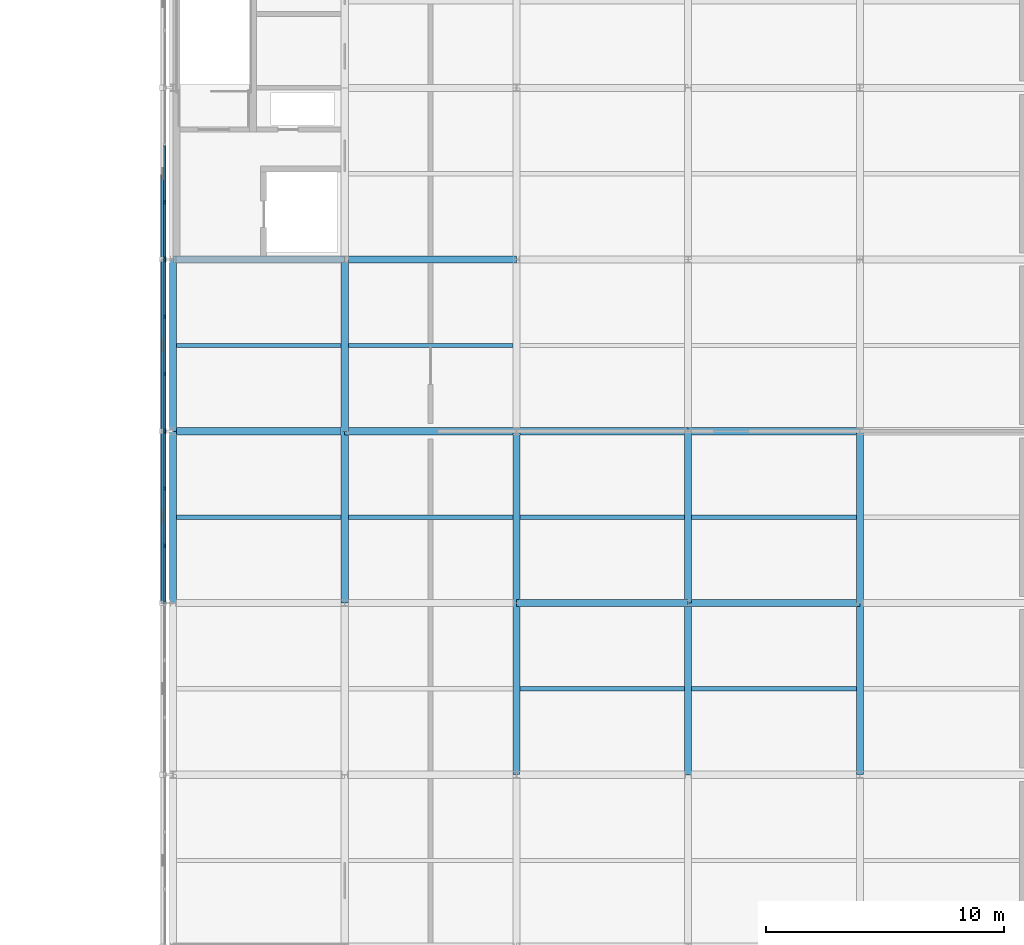
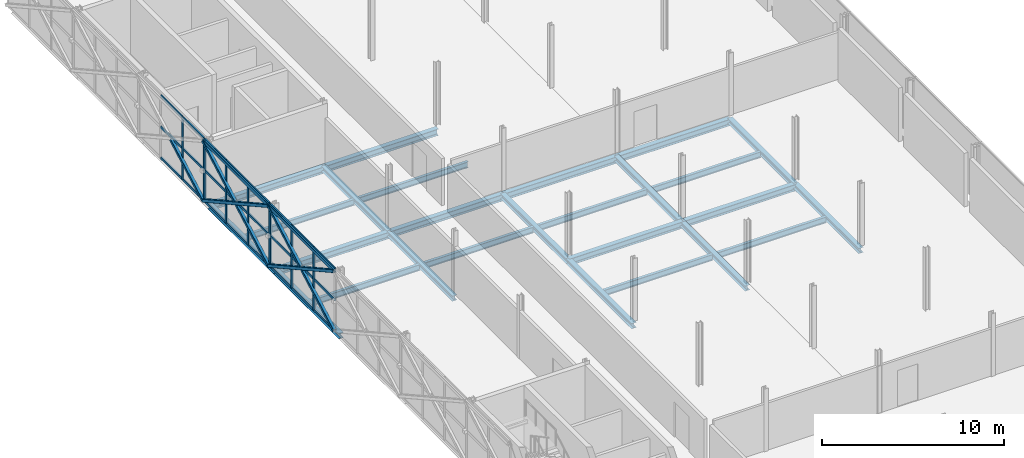
# One storey, part 74 of 146: 42 members, 26 beams, 3 elements without a shape of their own.
"""IFC4 building model written with IfcOpenShell, lengths in metres."""

from ifc_helpers import new_model, si_unit, direction, frame, origin, origin_2d, place, context, subcontext, project, spatial, rectangle, hollow_rectangle, i_section, extrude, material, material_profile, profile_set, type_object, element, aggregate, save


model = new_model("IFC4")

# Units and contexts
model_context = context("Model", 3, precision=1e-05, world=origin(), true_north=direction((0.0, 1.0)))
body_context = subcontext(model_context, "Body", "Model", "MODEL_VIEW")
ifc_project = project(units=[si_unit("LENGTHUNIT", "METRE"), si_unit("AREAUNIT", "SQUARE_METRE"), si_unit("VOLUMEUNIT", "CUBIC_METRE"), si_unit("PLANEANGLEUNIT", "RADIAN"), si_unit("MASSUNIT", "GRAM", prefix="KILO")], contexts=[model_context])

# Site, building, storey
site_placement = place(None, origin())
site = spatial("IfcSite", under=ifc_project, at=site_placement, CompositionType="ELEMENT")
building_placement = place(site_placement, origin())
building = spatial("IfcBuilding", under=site, at=building_placement, Name="Zlatovets Crest Museum", CompositionType="ELEMENT")
storey_placement = place(building_placement, frame((0.0, 0.0, 4.5)))
storey = spatial("IfcBuildingStorey", under=building, at=storey_placement, Name="L01", CompositionType="ELEMENT", Elevation=4.5)

# Beams
ifc_material_1 = material(Name="Structural steel S355J2", Category="steel")
ifc_material_profile_1 = material_profile(ifc_material_1, i_section(OverallWidth=0.300048828125, OverallDepth=0.35009765625, WebThickness=0.010009765625, FlangeThickness=0.017578125, FilletRadius=0.027099609375, at=origin_2d()), Name="HEA 360")
ifc_profile_set_1 = profile_set([ifc_material_profile_1], Name="Structural steel S355J2")
beam_type_1 = type_object("IfcBeamType", Name="Beam_B-03", PredefinedType="BEAM", material=ifc_profile_set_1)
for number, where, z_axis, x_axis, name in (
    (1, (129.60009765625, 64.800048828125, -0.39501953125), (0.0, 1.0, 0.0), (-1.0, 0.0, 0.0), "V5 L01 Grid Beam B-03"),
    (2, (129.60009765625, 72.0, -0.39501953125), (0.0, 1.0, 0.0), (-1.0, 0.0, 0.0), "V5 L01 Grid Beam B-03"),
    (3, (136.800048828125, 64.800048828125, -0.39501953125), (0.0, 1.0, 0.0), (-1.0, 0.0, 0.0), "V5 L01 Grid Beam B-03"),
    (4, (136.800048828125, 72.0, -0.39501953125), (0.0, 1.0, 0.0), (-1.0, 0.0, 0.0), "V5 L01 Grid Beam B-03"),
    (5, (144.0, 57.60009765625, -0.39501953125), (0.0, 1.0, 0.0), (-1.0, 0.0, 0.0), "V5 L01 Grid Beam B-03"),
    (6, (144.0, 64.800048828125, -0.39501953125), (0.0, 1.0, 0.0), (-1.0, 0.0, 0.0), "V5 L01 Grid Beam B-03"),
    (7, (151.199951171875, 57.60009765625, -0.39501953125), (0.0, 1.0, 0.0), (-1.0, 0.0, 0.0), "V5 L01 Grid Beam B-03"),
    (8, (151.199951171875, 64.800048828125, -0.39501953125), (0.0, 1.0, 0.0), (-1.0, 0.0, 0.0), "V5 L01 Grid Beam B-03"),
    (9, (158.39990234375, 57.60009765625, -0.39501953125), (0.0, 1.0, 0.0), (-1.0, 0.0, 0.0), "V5 L01 Grid Beam B-03"),
    (10, (158.39990234375, 64.800048828125, -0.39501953125), (0.0, 1.0, 0.0), (-1.0, 0.0, 0.0), "V5 L01 Grid Beam B-03"),
):
    element("IfcBeam", number, at=place(storey_placement, frame(where, z_axis=z_axis, x_axis=x_axis)), inside=storey, type_object=beam_type_1, Name=name, PredefinedType="BEAM", context=body_context, shape_type="SweptSolid", body=[
        extrude(i_section(OverallWidth=0.300048828125, OverallDepth=0.35009765625, WebThickness=0.010009765625, FlangeThickness=0.017578125, FilletRadius=0.027099609375, at=origin_2d()), origin(), (0.0, 0.0, 1.0), 7.199951171875),
    ])
ifc_material_profile_2 = material_profile(ifc_material_1, i_section(OverallWidth=0.300048828125, OverallDepth=0.43994140625, WebThickness=0.011474609375, FlangeThickness=0.02099609375, FilletRadius=0.027099609375, at=origin_2d()), Name="HEA 450")
ifc_profile_set_2 = profile_set([ifc_material_profile_2], Name="Structural steel S355J2")
beam_type_2 = type_object("IfcBeamType", Name="Beam_B-10", PredefinedType="BEAM", material=ifc_profile_set_2)
for number, where, z_axis, x_axis, name in (
    (11, (144.0, 64.800048828125, -0.43994140625), (1.0, 0.0, 0.0), (0.0, 1.0, 0.0), "V5 L01 Primary Girder B-10"),
    (12, (151.199951171875, 64.800048828125, -0.43994140625), (1.0, 0.0, 0.0), (0.0, 1.0, 0.0), "V5 L01 Primary Girder B-10"),
    (13, (129.60009765625, 72.0, -0.43994140625), (1.0, 0.0, 0.0), (0.0, 1.0, 0.0), "V5 L01 Primary Girder B-10"),
    (14, (136.800048828125, 72.0, -0.43994140625), (1.0, 0.0, 0.0), (0.0, 1.0, 0.0), "V5 L01 Primary Girder B-10"),
    (15, (144.0, 72.0, -0.43994140625), (1.0, 0.0, 0.0), (0.0, 1.0, 0.0), "V5 L01 Primary Girder B-10"),
    (16, (151.199951171875, 72.0, -0.43994140625), (1.0, 0.0, 0.0), (0.0, 1.0, 0.0), "V5 L01 Primary Girder B-10"),
    (17, (129.60009765625, 79.199951171875, -0.43994140625), (1.0, 0.0, 0.0), (0.0, 1.0, 0.0), "V5 L01 Primary Girder B-10"),
    (18, (136.800048828125, 79.199951171875, -0.43994140625), (1.0, 0.0, 0.0), (0.0, 1.0, 0.0), "V5 L01 Primary Girder B-10"),
):
    element("IfcBeam", number, at=place(storey_placement, frame(where, z_axis=z_axis, x_axis=x_axis)), inside=storey, type_object=beam_type_2, Name=name, PredefinedType="BEAM", context=body_context, shape_type="SweptSolid", body=[
        extrude(i_section(OverallWidth=0.300048828125, OverallDepth=0.43994140625, WebThickness=0.011474609375, FlangeThickness=0.02099609375, FilletRadius=0.027099609375, at=origin_2d()), origin(), (0.0, 0.0, 1.0), 7.199951171875),
    ])
ifc_material_profile_3 = material_profile(ifc_material_1, i_section(OverallWidth=0.179931640625, OverallDepth=0.39990234375, WebThickness=0.008544921875, FlangeThickness=0.013427734375, FilletRadius=0.02099609375, at=origin_2d()), Name="IPE 400")
ifc_profile_set_3 = profile_set([ifc_material_profile_3], Name="Structural steel S355J2")
beam_type_3 = type_object("IfcBeamType", Name="Beam_J-04", PredefinedType="JOIST", material=ifc_profile_set_3)
for number, where, z_axis, x_axis, name in (
    (19, (129.75, 68.39990234375, -0.419921875), (1.0, 0.0, 0.0), (0.0, 1.0, 0.0), "V5 L01 Composite Joist J-04"),
    (20, (129.75, 75.60009765625, -0.419921875), (1.0, 0.0, 0.0), (0.0, 1.0, 0.0), "V5 L01 Composite Joist J-04"),
):
    element("IfcBeam", number, at=place(storey_placement, frame(where, z_axis=z_axis, x_axis=x_axis)), inside=storey, type_object=beam_type_3, Name=name, PredefinedType="JOIST", context=body_context, shape_type="SweptSolid", body=[
        extrude(i_section(OverallWidth=0.179931640625, OverallDepth=0.39990234375, WebThickness=0.008544921875, FlangeThickness=0.013427734375, FilletRadius=0.02099609375, at=origin_2d()), origin(), (0.0, 0.0, 1.0), 6.89990234375),
    ])
for number, where, z_axis, x_axis, name in (
    (21, (136.949951171875, 68.39990234375, -0.419921875), (1.0, 0.0, 0.0), (0.0, 1.0, 0.0), "V5 L01 Composite Joist J-04"),
    (22, (136.949951171875, 75.60009765625, -0.419921875), (1.0, 0.0, 0.0), (0.0, 1.0, 0.0), "V5 L01 Composite Joist J-04"),
    (23, (144.14990234375, 61.199951171875, -0.419921875), (1.0, 0.0, 0.0), (0.0, 1.0, 0.0), "V5 L01 Composite Joist J-04"),
    (24, (144.14990234375, 68.39990234375, -0.419921875), (1.0, 0.0, 0.0), (0.0, 1.0, 0.0), "V5 L01 Composite Joist J-04"),
):
    element("IfcBeam", number, at=place(storey_placement, frame(where, z_axis=z_axis, x_axis=x_axis)), inside=storey, type_object=beam_type_3, Name=name, PredefinedType="JOIST", context=body_context, shape_type="SweptSolid", body=[
        extrude(i_section(OverallWidth=0.179931640625, OverallDepth=0.39990234375, WebThickness=0.008544921875, FlangeThickness=0.013427734375, FilletRadius=0.02099609375, at=origin_2d()), origin(), (0.0, 0.0, 1.0), 6.900146484375),
    ])
for number, where, z_axis, x_axis, name in (
    (25, (151.35009765625, 61.199951171875, -0.419921875), (1.0, 0.0, 0.0), (0.0, 1.0, 0.0), "V5 L01 Composite Joist J-04"),
    (26, (151.35009765625, 68.39990234375, -0.419921875), (1.0, 0.0, 0.0), (0.0, 1.0, 0.0), "V5 L01 Composite Joist J-04"),
):
    element("IfcBeam", number, at=place(storey_placement, frame(where, z_axis=z_axis, x_axis=x_axis)), inside=storey, type_object=beam_type_3, Name=name, PredefinedType="JOIST", context=body_context, shape_type="SweptSolid", body=[
        extrude(i_section(OverallWidth=0.179931640625, OverallDepth=0.39990234375, WebThickness=0.008544921875, FlangeThickness=0.013427734375, FilletRadius=0.02099609375, at=origin_2d()), origin(), (0.0, 0.0, 1.0), 6.89990234375),
    ])

# Curtain wall, members
ifc_material_2 = material(Name="Bronze-anodised aluminium and low-E triple glass", Category="aluminium")
curtain_wall_type_1 = type_object("IfcCurtainWallType", Name="CW_CW-V5-L01-M0", PredefinedType="NOTDEFINED", material=ifc_material_2)
curtain_wall_1_placement = place(storey_placement, origin())
curtain_wall_1 = element("IfcCurtainWall", 27, at=curtain_wall_1_placement, inside=storey, type_object=curtain_wall_type_1, Name="V5 L01 Expressed Core Glazed Facade", PredefinedType="NOTDEFINED")
ifc_material_3 = material(Name="Bronze-anodised aluminium EN AW-6060", Category="aluminium")
ifc_material_profile_4 = material_profile(ifc_material_3, rectangle(XDim=0.080078125, YDim=0.159912109375, at=origin_2d()), Name="ALU 80x160")
ifc_profile_set_4 = profile_set([ifc_material_profile_4], Name="Bronze-anodised aluminium EN AW-6060")
member_type_1 = type_object("IfcMemberType", Name="CWMull_M1", PredefinedType="MULLION", material=ifc_profile_set_4)
member_1_placement = place(storey_placement, frame((129.260009765625, 81.60009765625, 0.0), z_axis=(0.0, 0.0, 1.0), x_axis=(1.0, 0.0, 0.0)))
member_1 = element("IfcMember", 28, at=member_1_placement, type_object=member_type_1, Name="CW-V5-L01-M0 mullion 3", PredefinedType="MULLION", context=body_context, shape_type="SweptSolid", body=[
    extrude(rectangle(XDim=0.080078125, YDim=0.159912109375, at=origin_2d()), origin(), (0.0, 0.0, 1.0), 4.199951171875),
])
member_2_placement = place(storey_placement, frame((129.260009765625, 79.22998046875, 0.0), z_axis=(0.0, 0.0, 1.0), x_axis=(1.0, 0.0, 0.0)))
member_2 = element("IfcMember", 29, at=member_2_placement, type_object=member_type_1, Name="CW-V5-L01-M0 mullion 4", PredefinedType="MULLION", context=body_context, shape_type="SweptSolid", body=[
    extrude(rectangle(XDim=0.080078125, YDim=0.159912109375, at=origin_2d()), origin(), (0.0, 0.0, 1.0), 4.199951171875),
])

curtain_wall_type_2 = type_object("IfcCurtainWallType", Name="CW_CW-V5-L01-M1", PredefinedType="NOTDEFINED", material=ifc_material_2)
curtain_wall_2_placement = place(storey_placement, origin())
curtain_wall_2 = element("IfcCurtainWall", 30, at=curtain_wall_2_placement, inside=storey, type_object=curtain_wall_type_2, Name="V5 L01 Secession Foyer Clear Curtain Wall", PredefinedType="NOTDEFINED")
member_3_placement = place(storey_placement, frame((129.260009765625, 79.169921875, 0.0), z_axis=(0.0, 0.0, 1.0), x_axis=(1.0, 0.0, 0.0)))
member_3 = element("IfcMember", 31, at=member_3_placement, type_object=member_type_1, Name="CW-V5-L01-M1 mullion 1", PredefinedType="MULLION", context=body_context, shape_type="SweptSolid", body=[
    extrude(rectangle(XDim=0.080078125, YDim=0.159912109375, at=origin_2d()), origin(), (0.0, 0.0, 1.0), 4.199951171875),
])
member_4_placement = place(storey_placement, frame((129.260009765625, 76.800048828125, 0.0), z_axis=(0.0, 0.0, 1.0), x_axis=(1.0, 0.0, 0.0)))
member_4 = element("IfcMember", 32, at=member_4_placement, type_object=member_type_1, Name="CW-V5-L01-M1 mullion 2", PredefinedType="MULLION", context=body_context, shape_type="SweptSolid", body=[
    extrude(rectangle(XDim=0.080078125, YDim=0.159912109375, at=origin_2d()), origin(), (0.0, 0.0, 1.0), 4.199951171875),
])
member_5_placement = place(storey_placement, frame((129.260009765625, 74.39990234375, 0.0), z_axis=(0.0, 0.0, 1.0), x_axis=(1.0, 0.0, 0.0)))
member_5 = element("IfcMember", 33, at=member_5_placement, type_object=member_type_1, Name="CW-V5-L01-M1 mullion 3", PredefinedType="MULLION", context=body_context, shape_type="SweptSolid", body=[
    extrude(rectangle(XDim=0.080078125, YDim=0.159912109375, at=origin_2d()), origin(), (0.0, 0.0, 1.0), 4.199951171875),
])
member_6_placement = place(storey_placement, frame((129.260009765625, 72.030029296875, 0.0), z_axis=(0.0, 0.0, 1.0), x_axis=(1.0, 0.0, 0.0)))
member_6 = element("IfcMember", 34, at=member_6_placement, type_object=member_type_1, Name="CW-V5-L01-M1 mullion 4", PredefinedType="MULLION", context=body_context, shape_type="SweptSolid", body=[
    extrude(rectangle(XDim=0.080078125, YDim=0.159912109375, at=origin_2d()), origin(), (0.0, 0.0, 1.0), 4.199951171875),
])

curtain_wall_type_3 = type_object("IfcCurtainWallType", Name="CW_CW-V5-L01-M2", PredefinedType="NOTDEFINED", material=ifc_material_2)
curtain_wall_3_placement = place(storey_placement, origin())
curtain_wall_3 = element("IfcCurtainWall", 35, at=curtain_wall_3_placement, inside=storey, type_object=curtain_wall_type_3, Name="V5 L01 Secession Foyer Clear Curtain Wall", PredefinedType="NOTDEFINED")
member_7_placement = place(storey_placement, frame((129.260009765625, 71.969970703125, 0.0), z_axis=(0.0, 0.0, 1.0), x_axis=(1.0, 0.0, 0.0)))
member_7 = element("IfcMember", 36, at=member_7_placement, type_object=member_type_1, Name="CW-V5-L01-M2 mullion 1", PredefinedType="MULLION", context=body_context, shape_type="SweptSolid", body=[
    extrude(rectangle(XDim=0.080078125, YDim=0.159912109375, at=origin_2d()), origin(), (0.0, 0.0, 1.0), 4.199951171875),
])
member_8_placement = place(storey_placement, frame((129.260009765625, 69.60009765625, 0.0), z_axis=(0.0, 0.0, 1.0), x_axis=(1.0, 0.0, 0.0)))
member_8 = element("IfcMember", 37, at=member_8_placement, type_object=member_type_1, Name="CW-V5-L01-M2 mullion 2", PredefinedType="MULLION", context=body_context, shape_type="SweptSolid", body=[
    extrude(rectangle(XDim=0.080078125, YDim=0.159912109375, at=origin_2d()), origin(), (0.0, 0.0, 1.0), 4.199951171875),
])
member_9_placement = place(storey_placement, frame((129.260009765625, 67.199951171875, 0.0), z_axis=(0.0, 0.0, 1.0), x_axis=(1.0, 0.0, 0.0)))
member_9 = element("IfcMember", 38, at=member_9_placement, type_object=member_type_1, Name="CW-V5-L01-M2 mullion 3", PredefinedType="MULLION", context=body_context, shape_type="SweptSolid", body=[
    extrude(rectangle(XDim=0.080078125, YDim=0.159912109375, at=origin_2d()), origin(), (0.0, 0.0, 1.0), 4.199951171875),
])

# Member
ifc_material_profile_5 = material_profile(ifc_material_3, rectangle(XDim=0.080078125, YDim=0.159912109375, at=origin_2d()), Name="ALU 80x160")
ifc_profile_set_5 = profile_set([ifc_material_profile_5], Name="Bronze-anodised aluminium EN AW-6060")
member_type_2 = type_object("IfcMemberType", Name="CWTrans_T1", PredefinedType="USERDEFINED", material=ifc_profile_set_5)
member_10_placement = place(storey_placement, frame((129.260009765625, 83.969970703125, 0.030029296875), z_axis=(0.0, -1.0, 0.0), x_axis=(1.0, 0.0, 0.0)))
member_10 = element("IfcMember", 39, at=member_10_placement, type_object=member_type_2, Name="CW-V5-L01-M0 transom 2.1", ObjectType="TRANSOM", PredefinedType="USERDEFINED", context=body_context, shape_type="SweptSolid", body=[
    extrude(rectangle(XDim=0.080078125, YDim=0.159912109375, at=origin_2d()), origin(), (0.0, 0.0, 1.0), 2.340087890625),
])

member_11_placement = place(storey_placement, frame((129.260009765625, 83.969970703125, 2.10009765625), z_axis=(0.0, -1.0, 0.0), x_axis=(1.0, 0.0, 0.0)))
member_11 = element("IfcMember", 40, at=member_11_placement, type_object=member_type_2, Name="CW-V5-L01-M0 transom 2.2", ObjectType="TRANSOM", PredefinedType="USERDEFINED", context=body_context, shape_type="SweptSolid", body=[
    extrude(rectangle(XDim=0.080078125, YDim=0.159912109375, at=origin_2d()), origin(), (0.0, 0.0, 1.0), 2.340087890625),
])

member_12_placement = place(storey_placement, frame((129.260009765625, 83.969970703125, 4.169921875), z_axis=(0.0, -1.0, 0.0), x_axis=(1.0, 0.0, 0.0)))
member_12 = element("IfcMember", 41, at=member_12_placement, type_object=member_type_2, Name="CW-V5-L01-M0 transom 2.3", ObjectType="TRANSOM", PredefinedType="USERDEFINED", context=body_context, shape_type="SweptSolid", body=[
    extrude(rectangle(XDim=0.080078125, YDim=0.159912109375, at=origin_2d()), origin(), (0.0, 0.0, 1.0), 2.340087890625),
])

member_13_placement = place(storey_placement, frame((129.260009765625, 81.570068359375, 0.030029296875), z_axis=(0.0, -1.0, 0.0), x_axis=(1.0, 0.0, 0.0)))
member_13 = element("IfcMember", 42, at=member_13_placement, type_object=member_type_2, Name="CW-V5-L01-M0 transom 3.1", ObjectType="TRANSOM", PredefinedType="USERDEFINED", context=body_context, shape_type="SweptSolid", body=[
    extrude(rectangle(XDim=0.080078125, YDim=0.159912109375, at=origin_2d()), origin(), (0.0, 0.0, 1.0), 2.31005859375),
])

member_14_placement = place(storey_placement, frame((129.260009765625, 81.570068359375, 2.10009765625), z_axis=(0.0, -1.0, 0.0), x_axis=(1.0, 0.0, 0.0)))
member_14 = element("IfcMember", 43, at=member_14_placement, type_object=member_type_2, Name="CW-V5-L01-M0 transom 3.2", ObjectType="TRANSOM", PredefinedType="USERDEFINED", context=body_context, shape_type="SweptSolid", body=[
    extrude(rectangle(XDim=0.080078125, YDim=0.159912109375, at=origin_2d()), origin(), (0.0, 0.0, 1.0), 2.31005859375),
])

member_15_placement = place(storey_placement, frame((129.260009765625, 81.570068359375, 4.169921875), z_axis=(0.0, -1.0, 0.0), x_axis=(1.0, 0.0, 0.0)))
member_15 = element("IfcMember", 44, at=member_15_placement, type_object=member_type_2, Name="CW-V5-L01-M0 transom 3.3", ObjectType="TRANSOM", PredefinedType="USERDEFINED", context=body_context, shape_type="SweptSolid", body=[
    extrude(rectangle(XDim=0.080078125, YDim=0.159912109375, at=origin_2d()), origin(), (0.0, 0.0, 1.0), 2.31005859375),
])

aggregate(curtain_wall_1, [member_1, member_2, member_10, member_11, member_12, member_13, member_14, member_15])

member_16_placement = place(storey_placement, frame((129.260009765625, 79.139892578125, 0.030029296875), z_axis=(0.0, -1.0, 0.0), x_axis=(1.0, 0.0, 0.0)))
member_16 = element("IfcMember", 45, at=member_16_placement, type_object=member_type_2, Name="CW-V5-L01-M1 transom 1.1", ObjectType="TRANSOM", PredefinedType="USERDEFINED", context=body_context, shape_type="SweptSolid", body=[
    extrude(rectangle(XDim=0.080078125, YDim=0.159912109375, at=origin_2d()), origin(), (0.0, 0.0, 1.0), 2.309814453125),
])

member_17_placement = place(storey_placement, frame((129.260009765625, 79.139892578125, 2.10009765625), z_axis=(0.0, -1.0, 0.0), x_axis=(1.0, 0.0, 0.0)))
member_17 = element("IfcMember", 46, at=member_17_placement, type_object=member_type_2, Name="CW-V5-L01-M1 transom 1.2", ObjectType="TRANSOM", PredefinedType="USERDEFINED", context=body_context, shape_type="SweptSolid", body=[
    extrude(rectangle(XDim=0.080078125, YDim=0.159912109375, at=origin_2d()), origin(), (0.0, 0.0, 1.0), 2.309814453125),
])

member_18_placement = place(storey_placement, frame((129.260009765625, 79.139892578125, 4.169921875), z_axis=(0.0, -1.0, 0.0), x_axis=(1.0, 0.0, 0.0)))
member_18 = element("IfcMember", 47, at=member_18_placement, type_object=member_type_2, Name="CW-V5-L01-M1 transom 1.3", ObjectType="TRANSOM", PredefinedType="USERDEFINED", context=body_context, shape_type="SweptSolid", body=[
    extrude(rectangle(XDim=0.080078125, YDim=0.159912109375, at=origin_2d()), origin(), (0.0, 0.0, 1.0), 2.309814453125),
])

member_19_placement = place(storey_placement, frame((129.260009765625, 76.77001953125, 0.030029296875), z_axis=(0.0, -1.0, 0.0), x_axis=(1.0, 0.0, 0.0)))
member_19 = element("IfcMember", 48, at=member_19_placement, type_object=member_type_2, Name="CW-V5-L01-M1 transom 2.1", ObjectType="TRANSOM", PredefinedType="USERDEFINED", context=body_context, shape_type="SweptSolid", body=[
    extrude(rectangle(XDim=0.080078125, YDim=0.159912109375, at=origin_2d()), origin(), (0.0, 0.0, 1.0), 2.340087890625),
])

member_20_placement = place(storey_placement, frame((129.260009765625, 76.77001953125, 2.10009765625), z_axis=(0.0, -1.0, 0.0), x_axis=(1.0, 0.0, 0.0)))
member_20 = element("IfcMember", 49, at=member_20_placement, type_object=member_type_2, Name="CW-V5-L01-M1 transom 2.2", ObjectType="TRANSOM", PredefinedType="USERDEFINED", context=body_context, shape_type="SweptSolid", body=[
    extrude(rectangle(XDim=0.080078125, YDim=0.159912109375, at=origin_2d()), origin(), (0.0, 0.0, 1.0), 2.340087890625),
])

member_21_placement = place(storey_placement, frame((129.260009765625, 76.77001953125, 4.169921875), z_axis=(0.0, -1.0, 0.0), x_axis=(1.0, 0.0, 0.0)))
member_21 = element("IfcMember", 50, at=member_21_placement, type_object=member_type_2, Name="CW-V5-L01-M1 transom 2.3", ObjectType="TRANSOM", PredefinedType="USERDEFINED", context=body_context, shape_type="SweptSolid", body=[
    extrude(rectangle(XDim=0.080078125, YDim=0.159912109375, at=origin_2d()), origin(), (0.0, 0.0, 1.0), 2.340087890625),
])

member_22_placement = place(storey_placement, frame((129.260009765625, 74.3701171875, 0.030029296875), z_axis=(0.0, -1.0, 0.0), x_axis=(1.0, 0.0, 0.0)))
member_22 = element("IfcMember", 51, at=member_22_placement, type_object=member_type_2, Name="CW-V5-L01-M1 transom 3.1", ObjectType="TRANSOM", PredefinedType="USERDEFINED", context=body_context, shape_type="SweptSolid", body=[
    extrude(rectangle(XDim=0.080078125, YDim=0.159912109375, at=origin_2d()), origin(), (0.0, 0.0, 1.0), 2.31005859375),
])

member_23_placement = place(storey_placement, frame((129.260009765625, 74.3701171875, 2.10009765625), z_axis=(0.0, -1.0, 0.0), x_axis=(1.0, 0.0, 0.0)))
member_23 = element("IfcMember", 52, at=member_23_placement, type_object=member_type_2, Name="CW-V5-L01-M1 transom 3.2", ObjectType="TRANSOM", PredefinedType="USERDEFINED", context=body_context, shape_type="SweptSolid", body=[
    extrude(rectangle(XDim=0.080078125, YDim=0.159912109375, at=origin_2d()), origin(), (0.0, 0.0, 1.0), 2.31005859375),
])

member_24_placement = place(storey_placement, frame((129.260009765625, 74.3701171875, 4.169921875), z_axis=(0.0, -1.0, 0.0), x_axis=(1.0, 0.0, 0.0)))
member_24 = element("IfcMember", 53, at=member_24_placement, type_object=member_type_2, Name="CW-V5-L01-M1 transom 3.3", ObjectType="TRANSOM", PredefinedType="USERDEFINED", context=body_context, shape_type="SweptSolid", body=[
    extrude(rectangle(XDim=0.080078125, YDim=0.159912109375, at=origin_2d()), origin(), (0.0, 0.0, 1.0), 2.31005859375),
])

aggregate(curtain_wall_2, [member_3, member_4, member_5, member_6, member_16, member_17, member_18, member_19, member_20, member_21, member_22, member_23, member_24])

member_25_placement = place(storey_placement, frame((129.260009765625, 71.93994140625, 0.030029296875), z_axis=(0.0, -1.0, 0.0), x_axis=(1.0, 0.0, 0.0)))
member_25 = element("IfcMember", 54, at=member_25_placement, type_object=member_type_2, Name="CW-V5-L01-M2 transom 1.1", ObjectType="TRANSOM", PredefinedType="USERDEFINED", context=body_context, shape_type="SweptSolid", body=[
    extrude(rectangle(XDim=0.080078125, YDim=0.159912109375, at=origin_2d()), origin(), (0.0, 0.0, 1.0), 2.31005859375),
])

member_26_placement = place(storey_placement, frame((129.260009765625, 71.93994140625, 2.10009765625), z_axis=(0.0, -1.0, 0.0), x_axis=(1.0, 0.0, 0.0)))
member_26 = element("IfcMember", 55, at=member_26_placement, type_object=member_type_2, Name="CW-V5-L01-M2 transom 1.2", ObjectType="TRANSOM", PredefinedType="USERDEFINED", context=body_context, shape_type="SweptSolid", body=[
    extrude(rectangle(XDim=0.080078125, YDim=0.159912109375, at=origin_2d()), origin(), (0.0, 0.0, 1.0), 2.31005859375),
])

member_27_placement = place(storey_placement, frame((129.260009765625, 71.93994140625, 4.169921875), z_axis=(0.0, -1.0, 0.0), x_axis=(1.0, 0.0, 0.0)))
member_27 = element("IfcMember", 56, at=member_27_placement, type_object=member_type_2, Name="CW-V5-L01-M2 transom 1.3", ObjectType="TRANSOM", PredefinedType="USERDEFINED", context=body_context, shape_type="SweptSolid", body=[
    extrude(rectangle(XDim=0.080078125, YDim=0.159912109375, at=origin_2d()), origin(), (0.0, 0.0, 1.0), 2.31005859375),
])

member_28_placement = place(storey_placement, frame((129.260009765625, 69.570068359375, 0.030029296875), z_axis=(0.0, -1.0, 0.0), x_axis=(1.0, 0.0, 0.0)))
member_28 = element("IfcMember", 57, at=member_28_placement, type_object=member_type_2, Name="CW-V5-L01-M2 transom 2.1", ObjectType="TRANSOM", PredefinedType="USERDEFINED", context=body_context, shape_type="SweptSolid", body=[
    extrude(rectangle(XDim=0.080078125, YDim=0.159912109375, at=origin_2d()), origin(), (0.0, 0.0, 1.0), 2.340087890625),
])

member_29_placement = place(storey_placement, frame((129.260009765625, 69.570068359375, 2.10009765625), z_axis=(0.0, -1.0, 0.0), x_axis=(1.0, 0.0, 0.0)))
member_29 = element("IfcMember", 58, at=member_29_placement, type_object=member_type_2, Name="CW-V5-L01-M2 transom 2.2", ObjectType="TRANSOM", PredefinedType="USERDEFINED", context=body_context, shape_type="SweptSolid", body=[
    extrude(rectangle(XDim=0.080078125, YDim=0.159912109375, at=origin_2d()), origin(), (0.0, 0.0, 1.0), 2.340087890625),
])

member_30_placement = place(storey_placement, frame((129.260009765625, 69.570068359375, 4.169921875), z_axis=(0.0, -1.0, 0.0), x_axis=(1.0, 0.0, 0.0)))
member_30 = element("IfcMember", 59, at=member_30_placement, type_object=member_type_2, Name="CW-V5-L01-M2 transom 2.3", ObjectType="TRANSOM", PredefinedType="USERDEFINED", context=body_context, shape_type="SweptSolid", body=[
    extrude(rectangle(XDim=0.080078125, YDim=0.159912109375, at=origin_2d()), origin(), (0.0, 0.0, 1.0), 2.340087890625),
])

member_31_placement = place(storey_placement, frame((129.260009765625, 67.169921875, 0.030029296875), z_axis=(0.0, -1.0, 0.0), x_axis=(1.0, 0.0, 0.0)))
member_31 = element("IfcMember", 60, at=member_31_placement, type_object=member_type_2, Name="CW-V5-L01-M2 transom 3.1", ObjectType="TRANSOM", PredefinedType="USERDEFINED", context=body_context, shape_type="SweptSolid", body=[
    extrude(rectangle(XDim=0.080078125, YDim=0.159912109375, at=origin_2d()), origin(), (0.0, 0.0, 1.0), 2.309814453125),
])

member_32_placement = place(storey_placement, frame((129.260009765625, 67.169921875, 2.10009765625), z_axis=(0.0, -1.0, 0.0), x_axis=(1.0, 0.0, 0.0)))
member_32 = element("IfcMember", 61, at=member_32_placement, type_object=member_type_2, Name="CW-V5-L01-M2 transom 3.2", ObjectType="TRANSOM", PredefinedType="USERDEFINED", context=body_context, shape_type="SweptSolid", body=[
    extrude(rectangle(XDim=0.080078125, YDim=0.159912109375, at=origin_2d()), origin(), (0.0, 0.0, 1.0), 2.309814453125),
])

member_33_placement = place(storey_placement, frame((129.260009765625, 67.169921875, 4.169921875), z_axis=(0.0, -1.0, 0.0), x_axis=(1.0, 0.0, 0.0)))
member_33 = element("IfcMember", 62, at=member_33_placement, type_object=member_type_2, Name="CW-V5-L01-M2 transom 3.3", ObjectType="TRANSOM", PredefinedType="USERDEFINED", context=body_context, shape_type="SweptSolid", body=[
    extrude(rectangle(XDim=0.080078125, YDim=0.159912109375, at=origin_2d()), origin(), (0.0, 0.0, 1.0), 2.309814453125),
])

aggregate(curtain_wall_3, [member_7, member_8, member_9, member_25, member_26, member_27, member_28, member_29, member_30, member_31, member_32, member_33])

# Members
ifc_material_4 = material(Name="Weathering bronze-steel S355J2W", Category="steel")
ifc_material_profile_6 = material_profile(ifc_material_4, hollow_rectangle(XDim=0.199951171875, YDim=0.199951171875, WallThickness=0.012451171875, InnerFilletRadius=0.012451171875, OuterFilletRadius=0.02490234375, at=origin_2d()), Name="SHS 200x200x12.5")
ifc_profile_set_6 = profile_set([ifc_material_profile_6], Name="Weathering bronze-steel S355J2W")
member_type_3 = type_object("IfcMemberType", Name="Lattice_XL-02", PredefinedType="BRACE", material=ifc_profile_set_6)
member_34_placement = place(storey_placement, frame((129.179931640625, 82.717041015625, 2.053955078125), z_axis=(0.0, -0.874165862873, -0.485627474703), x_axis=(1.0, 0.0, 0.0)))
element("IfcMember", 63, at=member_34_placement, inside=storey, type_object=member_type_3, Name="Split Crossing Bronze Lattice Diagonal Lower", PredefinedType="BRACE", context=body_context, shape_type="SweptSolid", body=[
    extrude(hollow_rectangle(XDim=0.199951171875, YDim=0.199951171875, WallThickness=0.012451171875, InnerFilletRadius=0.012451171875, OuterFilletRadius=0.02490234375, at=origin_2d()), origin(), (0.0, 0.0, 1.0), 4.0234375),
])
member_35_placement = place(storey_placement, frame((129.179931640625, 79.199951171875, 0.10009765625), z_axis=(0.0, -0.874155877937, 0.485645447903), x_axis=(1.0, 0.0, 0.0)))
element("IfcMember", 64, at=member_35_placement, inside=storey, type_object=member_type_3, Name="Continuous Bronze Lattice Diagonal", PredefinedType="BRACE", context=body_context, shape_type="SweptSolid", body=[
    extrude(hollow_rectangle(XDim=0.199951171875, YDim=0.199951171875, WallThickness=0.012451171875, InnerFilletRadius=0.012451171875, OuterFilletRadius=0.02490234375, at=origin_2d()), origin(), (0.0, 0.0, 1.0), 8.236572265625),
])
member_36_placement = place(storey_placement, frame((129.179931640625, 79.199951171875, 4.10009765625), z_axis=(0.0, -0.874125788284, -0.485699604958), x_axis=(1.0, 0.0, 0.0)))
element("IfcMember", 65, at=member_36_placement, inside=storey, type_object=member_type_3, Name="Split Crossing Bronze Lattice Diagonal Upper", PredefinedType="BRACE", context=body_context, shape_type="SweptSolid", body=[
    extrude(hollow_rectangle(XDim=0.199951171875, YDim=0.199951171875, WallThickness=0.012451171875, InnerFilletRadius=0.012451171875, OuterFilletRadius=0.02490234375, at=origin_2d()), origin(), (0.0, 0.0, 1.0), 4.023193359375),
])
member_37_placement = place(storey_placement, frame((129.179931640625, 75.51708984375, 2.053955078125), z_axis=(0.0, -0.874165862873, -0.485627474703), x_axis=(1.0, 0.0, 0.0)))
element("IfcMember", 66, at=member_37_placement, inside=storey, type_object=member_type_3, Name="Split Crossing Bronze Lattice Diagonal Lower", PredefinedType="BRACE", context=body_context, shape_type="SweptSolid", body=[
    extrude(hollow_rectangle(XDim=0.199951171875, YDim=0.199951171875, WallThickness=0.012451171875, InnerFilletRadius=0.012451171875, OuterFilletRadius=0.02490234375, at=origin_2d()), origin(), (0.0, 0.0, 1.0), 4.0234375),
])
member_38_placement = place(storey_placement, frame((129.179931640625, 72.0, 0.10009765625), z_axis=(0.0, -0.874155877937, 0.485645447903), x_axis=(1.0, 0.0, 0.0)))
element("IfcMember", 67, at=member_38_placement, inside=storey, type_object=member_type_3, Name="Continuous Bronze Lattice Diagonal", PredefinedType="BRACE", context=body_context, shape_type="SweptSolid", body=[
    extrude(hollow_rectangle(XDim=0.199951171875, YDim=0.199951171875, WallThickness=0.012451171875, InnerFilletRadius=0.012451171875, OuterFilletRadius=0.02490234375, at=origin_2d()), origin(), (0.0, 0.0, 1.0), 8.236572265625),
])
member_39_placement = place(storey_placement, frame((129.179931640625, 72.0, 4.10009765625), z_axis=(0.0, -0.874140102304, -0.485673842763), x_axis=(1.0, 0.0, 0.0)))
element("IfcMember", 68, at=member_39_placement, inside=storey, type_object=member_type_3, Name="Split Crossing Bronze Lattice Diagonal Upper", PredefinedType="BRACE", context=body_context, shape_type="SweptSolid", body=[
    extrude(hollow_rectangle(XDim=0.199951171875, YDim=0.199951171875, WallThickness=0.012451171875, InnerFilletRadius=0.012451171875, OuterFilletRadius=0.02490234375, at=origin_2d()), origin(), (0.0, 0.0, 1.0), 4.0234375),
])
member_40_placement = place(storey_placement, frame((129.179931640625, 68.31689453125, 2.053955078125), z_axis=(0.0, -0.874151551165, -0.485653235958), x_axis=(1.0, 0.0, 0.0)))
element("IfcMember", 69, at=member_40_placement, inside=storey, type_object=member_type_3, Name="Split Crossing Bronze Lattice Diagonal Lower", PredefinedType="BRACE", context=body_context, shape_type="SweptSolid", body=[
    extrude(hollow_rectangle(XDim=0.199951171875, YDim=0.199951171875, WallThickness=0.012451171875, InnerFilletRadius=0.012451171875, OuterFilletRadius=0.02490234375, at=origin_2d()), origin(), (0.0, 0.0, 1.0), 4.023193359375),
])
ifc_material_profile_7 = material_profile(ifc_material_4, hollow_rectangle(XDim=0.1201171875, YDim=0.239990234375, WallThickness=0.010009765625, InnerFilletRadius=0.010009765625, OuterFilletRadius=0.02001953125, at=origin_2d()), Name="RHS 120x240x10.0")
ifc_profile_set_7 = profile_set([ifc_material_profile_7], Name="Weathering bronze-steel S355J2W")
member_type_4 = type_object("IfcMemberType", Name="Lattice_XL-04", PredefinedType="CHORD", material=ifc_profile_set_7)
for number, where, z_axis, x_axis, name in (
    (70, (129.179931640625, 79.199951171875, 4.10009765625), (0.0, -1.0, 0.0), (1.0, 0.0, 0.0), "Art Nouveau Woven Cage Collector Ring Chord"),
    (71, (129.179931640625, 72.0, 4.10009765625), (0.0, -1.0, 0.0), (1.0, 0.0, 0.0), "Art Nouveau Woven Cage Collector Ring Chord"),
):
    element("IfcMember", number, at=place(storey_placement, frame(where, z_axis=z_axis, x_axis=x_axis)), inside=storey, type_object=member_type_4, Name=name, PredefinedType="CHORD", context=body_context, shape_type="SweptSolid", body=[
        extrude(hollow_rectangle(XDim=0.1201171875, YDim=0.239990234375, WallThickness=0.010009765625, InnerFilletRadius=0.010009765625, OuterFilletRadius=0.02001953125, at=origin_2d()), origin(), (0.0, 0.0, 1.0), 7.199951171875),
    ])

save(model, "model.ifc")
